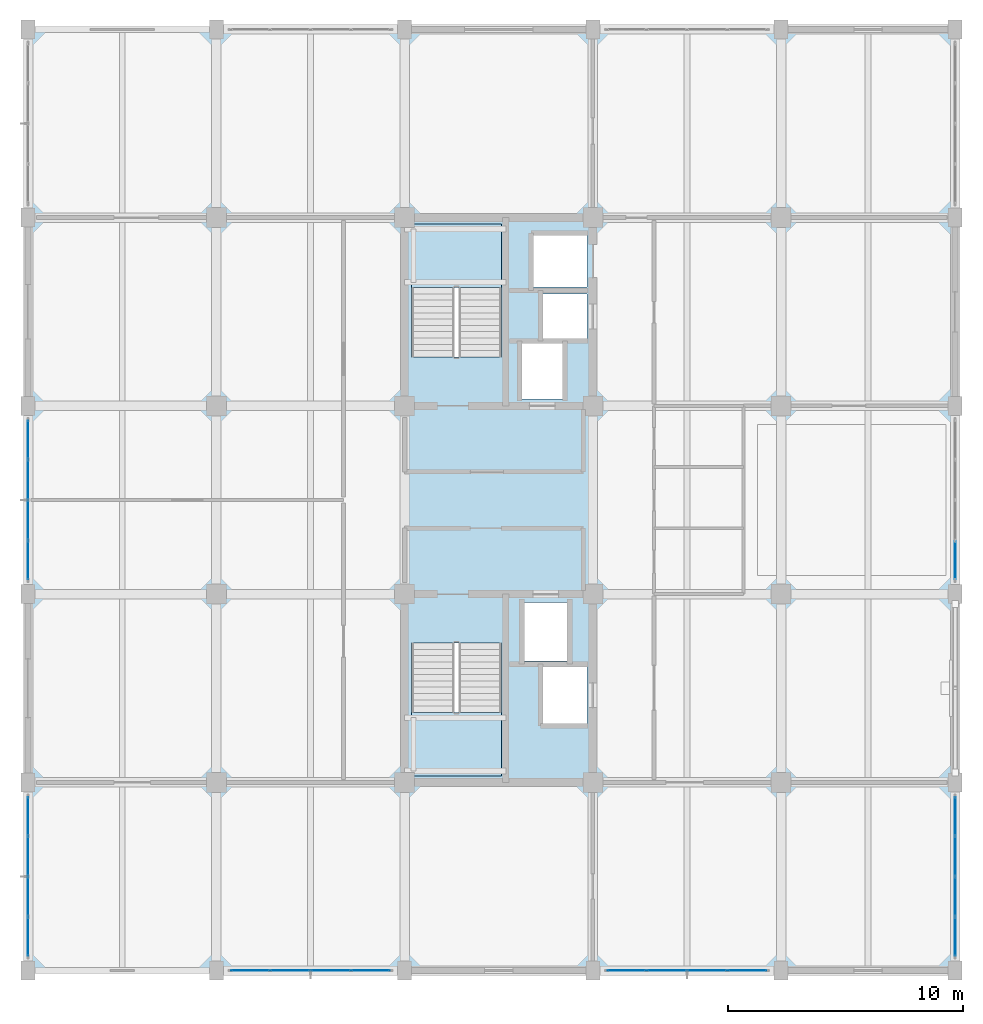
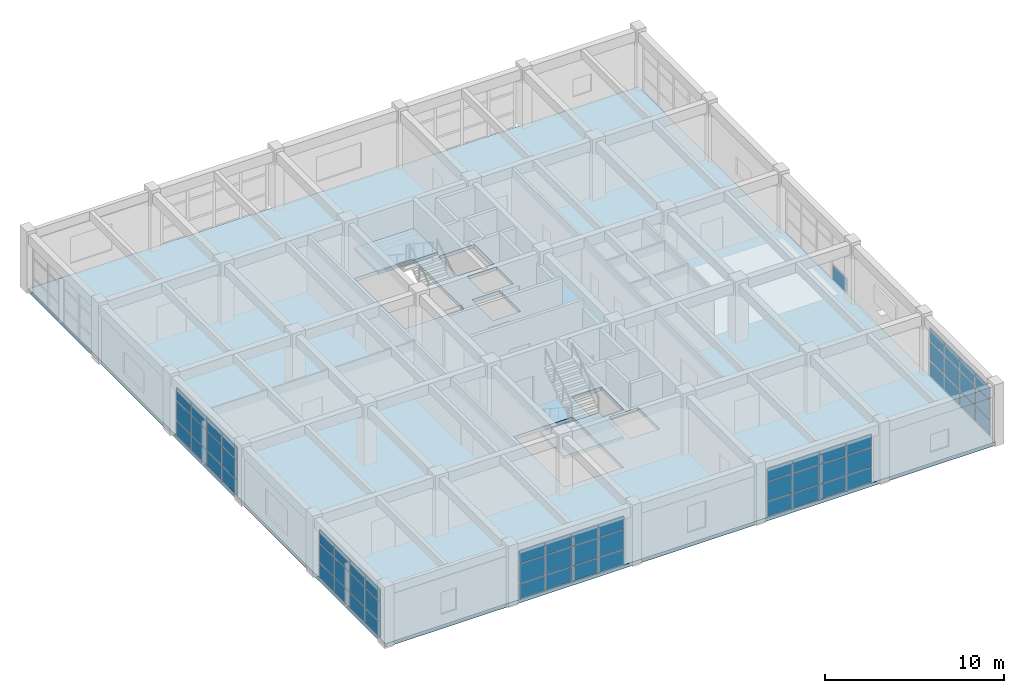
# One storey, part 19 of 27: 61 plates, 3 slabs, 8 elements without a shape of their own.
"""IFC4 building model written with IfcOpenShell, lengths in metres."""

from ifc_helpers import new_model, si_unit, direction, frame, origin, origin_2d, place, context, subcontext, project, spatial, polyline, rectangle, outline, extrude, material, layer, layer_set, type_object, element, aggregate, save


model = new_model("IFC4")

# Units and contexts
model_context = context("Model", 3, precision=1e-05, world=origin(), true_north=direction((0.0, 1.0)))
body_context = subcontext(model_context, "Body", "Model", "MODEL_VIEW")
ifc_project = project(units=[si_unit("LENGTHUNIT", "METRE"), si_unit("AREAUNIT", "SQUARE_METRE"), si_unit("VOLUMEUNIT", "CUBIC_METRE"), si_unit("PLANEANGLEUNIT", "RADIAN"), si_unit("MASSUNIT", "GRAM", prefix="KILO")], contexts=[model_context])

# Site, building, storey
site_placement = place(None, origin())
site = spatial("IfcSite", under=ifc_project, at=site_placement, CompositionType="ELEMENT")
building_placement = place(site_placement, origin())
building = spatial("IfcBuilding", under=site, at=building_placement, Name="Canggui Botanical Conservatory", CompositionType="ELEMENT")
storey_placement = place(building_placement, frame((0.0, 0.0, 31.800048828125)))
storey = spatial("IfcBuildingStorey", under=building, at=storey_placement, Name="L08", CompositionType="ELEMENT", Elevation=31.800048828125)

# Curtain wall, plates
ifc_material_1 = material(Name="Thermally Broken Aluminium", Category="aluminium")
ifc_layer_1 = layer(ifc_material_1, 0.1650390625, Name="Thermally Broken Aluminium", Category="aluminium")
ifc_layer_set_1 = layer_set([ifc_layer_1], Name="Thermally Broken Aluminium")
curtain_wall_type = type_object("IfcCurtainWallType", Name="CW-UNIT-B", PredefinedType="USERDEFINED", material=ifc_layer_set_1)
curtain_wall_1_placement = place(storey_placement, origin())
curtain_wall_1 = element("IfcCurtainWall", 1, at=curtain_wall_1_placement, inside=storey, type_object=curtain_wall_type, Name="Facade Curtain Wall CW-TWR-L08-02", ObjectType="UNITISED CURTAIN WALL", PredefinedType="USERDEFINED")
ifc_material_2 = material(Name="Low-E Insulated Glass", Category="glass")
ifc_layer_2 = layer(ifc_material_2, 0.030029296875, Name="Low-E Insulated Glass", Category="glass")
ifc_layer_set_2 = layer_set([ifc_layer_2], Name="Low-E Insulated Glass")
plate_type = type_object("IfcPlateType", Name="CWP-02", PredefinedType="CURTAIN_PANEL", material=ifc_layer_set_2)
plate_1_placement = place(storey_placement, frame((168.563720703125, 34.0, 0.059814453125), z_axis=(0.0, 0.0, 1.0), x_axis=(-1.0, 0.0, 0.0)))
plate_1 = element("IfcPlate", 2, at=plate_1_placement, type_object=plate_type, Name="CW-02 panel 1.1", PredefinedType="CURTAIN_PANEL", context=body_context, shape_type="SweptSolid", body=[
    extrude(rectangle(XDim=1.62255859375, YDim=0.030029296875, at=origin_2d()), origin(), (0.0, 0.0, 1.0), 0.998046875),
])
plate_2_placement = place(storey_placement, frame((168.563720703125, 34.0, 1.1181640625), z_axis=(0.0, 0.0, 1.0), x_axis=(-1.0, 0.0, 0.0)))
plate_2 = element("IfcPlate", 3, at=plate_2_placement, type_object=plate_type, Name="CW-02 panel 1.2", PredefinedType="CURTAIN_PANEL", context=body_context, shape_type="SweptSolid", body=[
    extrude(rectangle(XDim=1.62255859375, YDim=0.030029296875, at=origin_2d()), origin(), (0.0, 0.0, 1.0), 1.300048828125),
])
plate_3_placement = place(storey_placement, frame((168.563720703125, 34.0, 2.47802734375), z_axis=(0.0, 0.0, 1.0), x_axis=(-1.0, 0.0, 0.0)))
plate_3 = element("IfcPlate", 4, at=plate_3_placement, type_object=plate_type, Name="CW-02 panel 1.3", PredefinedType="CURTAIN_PANEL", context=body_context, shape_type="SweptSolid", body=[
    extrude(rectangle(XDim=1.62255859375, YDim=0.030029296875, at=origin_2d()), origin(), (0.0, 0.0, 1.0), 0.862060546875),
])
plate_4_placement = place(storey_placement, frame((166.860107421875, 34.0, 0.059814453125), z_axis=(0.0, 0.0, 1.0), x_axis=(-1.0, 0.0, 0.0)))
plate_4 = element("IfcPlate", 5, at=plate_4_placement, type_object=plate_type, Name="CW-02 panel 2.1", PredefinedType="CURTAIN_PANEL", context=body_context, shape_type="SweptSolid", body=[
    extrude(rectangle(XDim=1.655029296875, YDim=0.030029296875, at=origin_2d()), origin(), (0.0, 0.0, 1.0), 0.998046875),
])
plate_5_placement = place(storey_placement, frame((166.860107421875, 34.0, 1.1181640625), z_axis=(0.0, 0.0, 1.0), x_axis=(-1.0, 0.0, 0.0)))
plate_5 = element("IfcPlate", 6, at=plate_5_placement, type_object=plate_type, Name="CW-02 panel 2.2", PredefinedType="CURTAIN_PANEL", context=body_context, shape_type="SweptSolid", body=[
    extrude(rectangle(XDim=1.655029296875, YDim=0.030029296875, at=origin_2d()), origin(), (0.0, 0.0, 1.0), 1.300048828125),
])
plate_6_placement = place(storey_placement, frame((166.860107421875, 34.0, 2.47802734375), z_axis=(0.0, 0.0, 1.0), x_axis=(-1.0, 0.0, 0.0)))
plate_6 = element("IfcPlate", 7, at=plate_6_placement, type_object=plate_type, Name="CW-02 panel 2.3", PredefinedType="CURTAIN_PANEL", context=body_context, shape_type="SweptSolid", body=[
    extrude(rectangle(XDim=1.655029296875, YDim=0.030029296875, at=origin_2d()), origin(), (0.0, 0.0, 1.0), 0.862060546875),
])
plate_7_placement = place(storey_placement, frame((165.139892578125, 34.0, 0.059814453125), z_axis=(0.0, 0.0, 1.0), x_axis=(-1.0, 0.0, 0.0)))
plate_7 = element("IfcPlate", 8, at=plate_7_placement, type_object=plate_type, Name="CW-02 panel 3.1", PredefinedType="CURTAIN_PANEL", context=body_context, shape_type="SweptSolid", body=[
    extrude(rectangle(XDim=1.655029296875, YDim=0.030029296875, at=origin_2d()), origin(), (0.0, 0.0, 1.0), 0.998046875),
])
plate_8_placement = place(storey_placement, frame((165.139892578125, 34.0, 1.1181640625), z_axis=(0.0, 0.0, 1.0), x_axis=(-1.0, 0.0, 0.0)))
plate_8 = element("IfcPlate", 9, at=plate_8_placement, type_object=plate_type, Name="CW-02 panel 3.2", PredefinedType="CURTAIN_PANEL", context=body_context, shape_type="SweptSolid", body=[
    extrude(rectangle(XDim=1.655029296875, YDim=0.030029296875, at=origin_2d()), origin(), (0.0, 0.0, 1.0), 1.300048828125),
])
plate_9_placement = place(storey_placement, frame((165.139892578125, 34.0, 2.47802734375), z_axis=(0.0, 0.0, 1.0), x_axis=(-1.0, 0.0, 0.0)))
plate_9 = element("IfcPlate", 10, at=plate_9_placement, type_object=plate_type, Name="CW-02 panel 3.3", PredefinedType="CURTAIN_PANEL", context=body_context, shape_type="SweptSolid", body=[
    extrude(rectangle(XDim=1.655029296875, YDim=0.030029296875, at=origin_2d()), origin(), (0.0, 0.0, 1.0), 0.862060546875),
])
plate_10_placement = place(storey_placement, frame((163.436279296875, 34.0, 0.059814453125), z_axis=(0.0, 0.0, 1.0), x_axis=(-1.0, 0.0, 0.0)))
plate_10 = element("IfcPlate", 11, at=plate_10_placement, type_object=plate_type, Name="CW-02 panel 4.1", PredefinedType="CURTAIN_PANEL", context=body_context, shape_type="SweptSolid", body=[
    extrude(rectangle(XDim=1.62255859375, YDim=0.030029296875, at=origin_2d()), origin(), (0.0, 0.0, 1.0), 0.998046875),
])
plate_11_placement = place(storey_placement, frame((163.436279296875, 34.0, 1.1181640625), z_axis=(0.0, 0.0, 1.0), x_axis=(-1.0, 0.0, 0.0)))
plate_11 = element("IfcPlate", 12, at=plate_11_placement, type_object=plate_type, Name="CW-02 panel 4.2", PredefinedType="CURTAIN_PANEL", context=body_context, shape_type="SweptSolid", body=[
    extrude(rectangle(XDim=1.62255859375, YDim=0.030029296875, at=origin_2d()), origin(), (0.0, 0.0, 1.0), 1.300048828125),
])
plate_12_placement = place(storey_placement, frame((163.436279296875, 34.0, 2.47802734375), z_axis=(0.0, 0.0, 1.0), x_axis=(-1.0, 0.0, 0.0)))
plate_12 = element("IfcPlate", 13, at=plate_12_placement, type_object=plate_type, Name="CW-02 panel 4.3", PredefinedType="CURTAIN_PANEL", context=body_context, shape_type="SweptSolid", body=[
    extrude(rectangle(XDim=1.62255859375, YDim=0.030029296875, at=origin_2d()), origin(), (0.0, 0.0, 1.0), 0.862060546875),
])
aggregate(curtain_wall_1, [plate_1, plate_2, plate_3, plate_4, plate_5, plate_6, plate_7, plate_8, plate_9, plate_10, plate_11, plate_12])

curtain_wall_2_placement = place(storey_placement, origin())
curtain_wall_2 = element("IfcCurtainWall", 14, at=curtain_wall_2_placement, inside=storey, type_object=curtain_wall_type, Name="Facade Curtain Wall CW-TWR-L08-04", ObjectType="UNITISED CURTAIN WALL", PredefinedType="USERDEFINED")
plate_13_placement = place(storey_placement, frame((152.563720703125, 34.0, 0.059814453125), z_axis=(0.0, 0.0, 1.0), x_axis=(-1.0, 0.0, 0.0)))
plate_13 = element("IfcPlate", 15, at=plate_13_placement, type_object=plate_type, Name="CW-02 panel 1.1", PredefinedType="CURTAIN_PANEL", context=body_context, shape_type="SweptSolid", body=[
    extrude(rectangle(XDim=1.62255859375, YDim=0.030029296875, at=origin_2d()), origin(), (0.0, 0.0, 1.0), 0.998046875),
])
plate_14_placement = place(storey_placement, frame((152.563720703125, 34.0, 1.1181640625), z_axis=(0.0, 0.0, 1.0), x_axis=(-1.0, 0.0, 0.0)))
plate_14 = element("IfcPlate", 16, at=plate_14_placement, type_object=plate_type, Name="CW-02 panel 1.2", PredefinedType="CURTAIN_PANEL", context=body_context, shape_type="SweptSolid", body=[
    extrude(rectangle(XDim=1.62255859375, YDim=0.030029296875, at=origin_2d()), origin(), (0.0, 0.0, 1.0), 1.300048828125),
])
plate_15_placement = place(storey_placement, frame((152.563720703125, 34.0, 2.47802734375), z_axis=(0.0, 0.0, 1.0), x_axis=(-1.0, 0.0, 0.0)))
plate_15 = element("IfcPlate", 17, at=plate_15_placement, type_object=plate_type, Name="CW-02 panel 1.3", PredefinedType="CURTAIN_PANEL", context=body_context, shape_type="SweptSolid", body=[
    extrude(rectangle(XDim=1.62255859375, YDim=0.030029296875, at=origin_2d()), origin(), (0.0, 0.0, 1.0), 0.862060546875),
])
plate_16_placement = place(storey_placement, frame((150.860107421875, 34.0, 0.059814453125), z_axis=(0.0, 0.0, 1.0), x_axis=(-1.0, 0.0, 0.0)))
plate_16 = element("IfcPlate", 18, at=plate_16_placement, type_object=plate_type, Name="CW-02 panel 2.1", PredefinedType="CURTAIN_PANEL", context=body_context, shape_type="SweptSolid", body=[
    extrude(rectangle(XDim=1.655029296875, YDim=0.030029296875, at=origin_2d()), origin(), (0.0, 0.0, 1.0), 0.998046875),
])
plate_17_placement = place(storey_placement, frame((150.860107421875, 34.0, 1.1181640625), z_axis=(0.0, 0.0, 1.0), x_axis=(-1.0, 0.0, 0.0)))
plate_17 = element("IfcPlate", 19, at=plate_17_placement, type_object=plate_type, Name="CW-02 panel 2.2", PredefinedType="CURTAIN_PANEL", context=body_context, shape_type="SweptSolid", body=[
    extrude(rectangle(XDim=1.655029296875, YDim=0.030029296875, at=origin_2d()), origin(), (0.0, 0.0, 1.0), 1.300048828125),
])
plate_18_placement = place(storey_placement, frame((150.860107421875, 34.0, 2.47802734375), z_axis=(0.0, 0.0, 1.0), x_axis=(-1.0, 0.0, 0.0)))
plate_18 = element("IfcPlate", 20, at=plate_18_placement, type_object=plate_type, Name="CW-02 panel 2.3", PredefinedType="CURTAIN_PANEL", context=body_context, shape_type="SweptSolid", body=[
    extrude(rectangle(XDim=1.655029296875, YDim=0.030029296875, at=origin_2d()), origin(), (0.0, 0.0, 1.0), 0.862060546875),
])
plate_19_placement = place(storey_placement, frame((149.139892578125, 34.0, 0.059814453125), z_axis=(0.0, 0.0, 1.0), x_axis=(-1.0, 0.0, 0.0)))
plate_19 = element("IfcPlate", 21, at=plate_19_placement, type_object=plate_type, Name="CW-02 panel 3.1", PredefinedType="CURTAIN_PANEL", context=body_context, shape_type="SweptSolid", body=[
    extrude(rectangle(XDim=1.655029296875, YDim=0.030029296875, at=origin_2d()), origin(), (0.0, 0.0, 1.0), 0.998046875),
])
plate_20_placement = place(storey_placement, frame((149.139892578125, 34.0, 1.1181640625), z_axis=(0.0, 0.0, 1.0), x_axis=(-1.0, 0.0, 0.0)))
plate_20 = element("IfcPlate", 22, at=plate_20_placement, type_object=plate_type, Name="CW-02 panel 3.2", PredefinedType="CURTAIN_PANEL", context=body_context, shape_type="SweptSolid", body=[
    extrude(rectangle(XDim=1.655029296875, YDim=0.030029296875, at=origin_2d()), origin(), (0.0, 0.0, 1.0), 1.300048828125),
])
plate_21_placement = place(storey_placement, frame((149.139892578125, 34.0, 2.47802734375), z_axis=(0.0, 0.0, 1.0), x_axis=(-1.0, 0.0, 0.0)))
plate_21 = element("IfcPlate", 23, at=plate_21_placement, type_object=plate_type, Name="CW-02 panel 3.3", PredefinedType="CURTAIN_PANEL", context=body_context, shape_type="SweptSolid", body=[
    extrude(rectangle(XDim=1.655029296875, YDim=0.030029296875, at=origin_2d()), origin(), (0.0, 0.0, 1.0), 0.862060546875),
])
plate_22_placement = place(storey_placement, frame((147.436279296875, 34.0, 0.059814453125), z_axis=(0.0, 0.0, 1.0), x_axis=(-1.0, 0.0, 0.0)))
plate_22 = element("IfcPlate", 24, at=plate_22_placement, type_object=plate_type, Name="CW-02 panel 4.1", PredefinedType="CURTAIN_PANEL", context=body_context, shape_type="SweptSolid", body=[
    extrude(rectangle(XDim=1.62255859375, YDim=0.030029296875, at=origin_2d()), origin(), (0.0, 0.0, 1.0), 0.998046875),
])
plate_23_placement = place(storey_placement, frame((147.436279296875, 34.0, 1.1181640625), z_axis=(0.0, 0.0, 1.0), x_axis=(-1.0, 0.0, 0.0)))
plate_23 = element("IfcPlate", 25, at=plate_23_placement, type_object=plate_type, Name="CW-02 panel 4.2", PredefinedType="CURTAIN_PANEL", context=body_context, shape_type="SweptSolid", body=[
    extrude(rectangle(XDim=1.62255859375, YDim=0.030029296875, at=origin_2d()), origin(), (0.0, 0.0, 1.0), 1.300048828125),
])
plate_24_placement = place(storey_placement, frame((147.436279296875, 34.0, 2.47802734375), z_axis=(0.0, 0.0, 1.0), x_axis=(-1.0, 0.0, 0.0)))
plate_24 = element("IfcPlate", 26, at=plate_24_placement, type_object=plate_type, Name="CW-02 panel 4.3", PredefinedType="CURTAIN_PANEL", context=body_context, shape_type="SweptSolid", body=[
    extrude(rectangle(XDim=1.62255859375, YDim=0.030029296875, at=origin_2d()), origin(), (0.0, 0.0, 1.0), 0.862060546875),
])
aggregate(curtain_wall_2, [plate_13, plate_14, plate_15, plate_16, plate_17, plate_18, plate_19, plate_20, plate_21, plate_22, plate_23, plate_24])

curtain_wall_3_placement = place(storey_placement, origin())
curtain_wall_3 = element("IfcCurtainWall", 27, at=curtain_wall_3_placement, inside=storey, type_object=curtain_wall_type, Name="Facade Curtain Wall CW-TWR-L08-06", ObjectType="UNITISED CURTAIN WALL", PredefinedType="USERDEFINED")
plate_25_placement = place(storey_placement, frame((138.0, 35.436279296875, 0.059814453125), z_axis=(0.0, 0.0, 1.0), x_axis=(0.0, 1.0, 0.0)))
plate_25 = element("IfcPlate", 28, at=plate_25_placement, type_object=plate_type, Name="CW-02 panel 1.1", PredefinedType="CURTAIN_PANEL", context=body_context, shape_type="SweptSolid", body=[
    extrude(rectangle(XDim=1.62255859375, YDim=0.030029296875, at=origin_2d()), origin(), (0.0, 0.0, 1.0), 0.998046875),
])
plate_26_placement = place(storey_placement, frame((138.0, 35.436279296875, 1.1181640625), z_axis=(0.0, 0.0, 1.0), x_axis=(0.0, 1.0, 0.0)))
plate_26 = element("IfcPlate", 29, at=plate_26_placement, type_object=plate_type, Name="CW-02 panel 1.2", PredefinedType="CURTAIN_PANEL", context=body_context, shape_type="SweptSolid", body=[
    extrude(rectangle(XDim=1.62255859375, YDim=0.030029296875, at=origin_2d()), origin(), (0.0, 0.0, 1.0), 1.300048828125),
])
plate_27_placement = place(storey_placement, frame((138.0, 35.436279296875, 2.47802734375), z_axis=(0.0, 0.0, 1.0), x_axis=(0.0, 1.0, 0.0)))
plate_27 = element("IfcPlate", 30, at=plate_27_placement, type_object=plate_type, Name="CW-02 panel 1.3", PredefinedType="CURTAIN_PANEL", context=body_context, shape_type="SweptSolid", body=[
    extrude(rectangle(XDim=1.62255859375, YDim=0.030029296875, at=origin_2d()), origin(), (0.0, 0.0, 1.0), 0.862060546875),
])
plate_28_placement = place(storey_placement, frame((138.0, 37.139892578125, 0.059814453125), z_axis=(0.0, 0.0, 1.0), x_axis=(0.0, 1.0, 0.0)))
plate_28 = element("IfcPlate", 31, at=plate_28_placement, type_object=plate_type, Name="CW-02 panel 2.1", PredefinedType="CURTAIN_PANEL", context=body_context, shape_type="SweptSolid", body=[
    extrude(rectangle(XDim=1.655029296875, YDim=0.030029296875, at=origin_2d()), origin(), (0.0, 0.0, 1.0), 0.998046875),
])
plate_29_placement = place(storey_placement, frame((138.0, 37.139892578125, 1.1181640625), z_axis=(0.0, 0.0, 1.0), x_axis=(0.0, 1.0, 0.0)))
plate_29 = element("IfcPlate", 32, at=plate_29_placement, type_object=plate_type, Name="CW-02 panel 2.2", PredefinedType="CURTAIN_PANEL", context=body_context, shape_type="SweptSolid", body=[
    extrude(rectangle(XDim=1.655029296875, YDim=0.030029296875, at=origin_2d()), origin(), (0.0, 0.0, 1.0), 1.300048828125),
])
plate_30_placement = place(storey_placement, frame((138.0, 37.139892578125, 2.47802734375), z_axis=(0.0, 0.0, 1.0), x_axis=(0.0, 1.0, 0.0)))
plate_30 = element("IfcPlate", 33, at=plate_30_placement, type_object=plate_type, Name="CW-02 panel 2.3", PredefinedType="CURTAIN_PANEL", context=body_context, shape_type="SweptSolid", body=[
    extrude(rectangle(XDim=1.655029296875, YDim=0.030029296875, at=origin_2d()), origin(), (0.0, 0.0, 1.0), 0.862060546875),
])
plate_31_placement = place(storey_placement, frame((138.0, 38.860107421875, 0.059814453125), z_axis=(0.0, 0.0, 1.0), x_axis=(0.0, 1.0, 0.0)))
plate_31 = element("IfcPlate", 34, at=plate_31_placement, type_object=plate_type, Name="CW-02 panel 3.1", PredefinedType="CURTAIN_PANEL", context=body_context, shape_type="SweptSolid", body=[
    extrude(rectangle(XDim=1.655029296875, YDim=0.030029296875, at=origin_2d()), origin(), (0.0, 0.0, 1.0), 0.998046875),
])
plate_32_placement = place(storey_placement, frame((138.0, 38.860107421875, 1.1181640625), z_axis=(0.0, 0.0, 1.0), x_axis=(0.0, 1.0, 0.0)))
plate_32 = element("IfcPlate", 35, at=plate_32_placement, type_object=plate_type, Name="CW-02 panel 3.2", PredefinedType="CURTAIN_PANEL", context=body_context, shape_type="SweptSolid", body=[
    extrude(rectangle(XDim=1.655029296875, YDim=0.030029296875, at=origin_2d()), origin(), (0.0, 0.0, 1.0), 1.300048828125),
])
plate_33_placement = place(storey_placement, frame((138.0, 38.860107421875, 2.47802734375), z_axis=(0.0, 0.0, 1.0), x_axis=(0.0, 1.0, 0.0)))
plate_33 = element("IfcPlate", 36, at=plate_33_placement, type_object=plate_type, Name="CW-02 panel 3.3", PredefinedType="CURTAIN_PANEL", context=body_context, shape_type="SweptSolid", body=[
    extrude(rectangle(XDim=1.655029296875, YDim=0.030029296875, at=origin_2d()), origin(), (0.0, 0.0, 1.0), 0.862060546875),
])
plate_34_placement = place(storey_placement, frame((138.0, 40.563720703125, 0.059814453125), z_axis=(0.0, 0.0, 1.0), x_axis=(0.0, 1.0, 0.0)))
plate_34 = element("IfcPlate", 37, at=plate_34_placement, type_object=plate_type, Name="CW-02 panel 4.1", PredefinedType="CURTAIN_PANEL", context=body_context, shape_type="SweptSolid", body=[
    extrude(rectangle(XDim=1.62255859375, YDim=0.030029296875, at=origin_2d()), origin(), (0.0, 0.0, 1.0), 0.998046875),
])
plate_35_placement = place(storey_placement, frame((138.0, 40.563720703125, 1.1181640625), z_axis=(0.0, 0.0, 1.0), x_axis=(0.0, 1.0, 0.0)))
plate_35 = element("IfcPlate", 38, at=plate_35_placement, type_object=plate_type, Name="CW-02 panel 4.2", PredefinedType="CURTAIN_PANEL", context=body_context, shape_type="SweptSolid", body=[
    extrude(rectangle(XDim=1.62255859375, YDim=0.030029296875, at=origin_2d()), origin(), (0.0, 0.0, 1.0), 1.300048828125),
])
plate_36_placement = place(storey_placement, frame((138.0, 40.563720703125, 2.47802734375), z_axis=(0.0, 0.0, 1.0), x_axis=(0.0, 1.0, 0.0)))
plate_36 = element("IfcPlate", 39, at=plate_36_placement, type_object=plate_type, Name="CW-02 panel 4.3", PredefinedType="CURTAIN_PANEL", context=body_context, shape_type="SweptSolid", body=[
    extrude(rectangle(XDim=1.62255859375, YDim=0.030029296875, at=origin_2d()), origin(), (0.0, 0.0, 1.0), 0.862060546875),
])
aggregate(curtain_wall_3, [plate_25, plate_26, plate_27, plate_28, plate_29, plate_30, plate_31, plate_32, plate_33, plate_34, plate_35, plate_36])

curtain_wall_4_placement = place(storey_placement, origin())
curtain_wall_4 = element("IfcCurtainWall", 40, at=curtain_wall_4_placement, inside=storey, type_object=curtain_wall_type, Name="Facade Curtain Wall CW-TWR-L08-08", ObjectType="UNITISED CURTAIN WALL", PredefinedType="USERDEFINED")
plate_37_placement = place(storey_placement, frame((138.0, 51.436279296875, 0.059814453125), z_axis=(0.0, 0.0, 1.0), x_axis=(0.0, 1.0, 0.0)))
plate_37 = element("IfcPlate", 41, at=plate_37_placement, type_object=plate_type, Name="CW-02 panel 1.1", PredefinedType="CURTAIN_PANEL", context=body_context, shape_type="SweptSolid", body=[
    extrude(rectangle(XDim=1.62255859375, YDim=0.030029296875, at=origin_2d()), origin(), (0.0, 0.0, 1.0), 0.998046875),
])
plate_38_placement = place(storey_placement, frame((138.0, 51.436279296875, 1.1181640625), z_axis=(0.0, 0.0, 1.0), x_axis=(0.0, 1.0, 0.0)))
plate_38 = element("IfcPlate", 42, at=plate_38_placement, type_object=plate_type, Name="CW-02 panel 1.2", PredefinedType="CURTAIN_PANEL", context=body_context, shape_type="SweptSolid", body=[
    extrude(rectangle(XDim=1.62255859375, YDim=0.030029296875, at=origin_2d()), origin(), (0.0, 0.0, 1.0), 1.300048828125),
])
plate_39_placement = place(storey_placement, frame((138.0, 51.436279296875, 2.47802734375), z_axis=(0.0, 0.0, 1.0), x_axis=(0.0, 1.0, 0.0)))
plate_39 = element("IfcPlate", 43, at=plate_39_placement, type_object=plate_type, Name="CW-02 panel 1.3", PredefinedType="CURTAIN_PANEL", context=body_context, shape_type="SweptSolid", body=[
    extrude(rectangle(XDim=1.62255859375, YDim=0.030029296875, at=origin_2d()), origin(), (0.0, 0.0, 1.0), 0.862060546875),
])
plate_40_placement = place(storey_placement, frame((138.0, 53.139892578125, 0.059814453125), z_axis=(0.0, 0.0, 1.0), x_axis=(0.0, 1.0, 0.0)))
plate_40 = element("IfcPlate", 44, at=plate_40_placement, type_object=plate_type, Name="CW-02 panel 2.1", PredefinedType="CURTAIN_PANEL", context=body_context, shape_type="SweptSolid", body=[
    extrude(rectangle(XDim=1.655029296875, YDim=0.030029296875, at=origin_2d()), origin(), (0.0, 0.0, 1.0), 0.998046875),
])
plate_41_placement = place(storey_placement, frame((138.0, 53.139892578125, 1.1181640625), z_axis=(0.0, 0.0, 1.0), x_axis=(0.0, 1.0, 0.0)))
plate_41 = element("IfcPlate", 45, at=plate_41_placement, type_object=plate_type, Name="CW-02 panel 2.2", PredefinedType="CURTAIN_PANEL", context=body_context, shape_type="SweptSolid", body=[
    extrude(rectangle(XDim=1.655029296875, YDim=0.030029296875, at=origin_2d()), origin(), (0.0, 0.0, 1.0), 1.300048828125),
])
plate_42_placement = place(storey_placement, frame((138.0, 53.139892578125, 2.47802734375), z_axis=(0.0, 0.0, 1.0), x_axis=(0.0, 1.0, 0.0)))
plate_42 = element("IfcPlate", 46, at=plate_42_placement, type_object=plate_type, Name="CW-02 panel 2.3", PredefinedType="CURTAIN_PANEL", context=body_context, shape_type="SweptSolid", body=[
    extrude(rectangle(XDim=1.655029296875, YDim=0.030029296875, at=origin_2d()), origin(), (0.0, 0.0, 1.0), 0.862060546875),
])
plate_43_placement = place(storey_placement, frame((138.0, 54.860107421875, 0.059814453125), z_axis=(0.0, 0.0, 1.0), x_axis=(0.0, 1.0, 0.0)))
plate_43 = element("IfcPlate", 47, at=plate_43_placement, type_object=plate_type, Name="CW-02 panel 3.1", PredefinedType="CURTAIN_PANEL", context=body_context, shape_type="SweptSolid", body=[
    extrude(rectangle(XDim=1.655029296875, YDim=0.030029296875, at=origin_2d()), origin(), (0.0, 0.0, 1.0), 0.998046875),
])
plate_44_placement = place(storey_placement, frame((138.0, 54.860107421875, 1.1181640625), z_axis=(0.0, 0.0, 1.0), x_axis=(0.0, 1.0, 0.0)))
plate_44 = element("IfcPlate", 48, at=plate_44_placement, type_object=plate_type, Name="CW-02 panel 3.2", PredefinedType="CURTAIN_PANEL", context=body_context, shape_type="SweptSolid", body=[
    extrude(rectangle(XDim=1.655029296875, YDim=0.030029296875, at=origin_2d()), origin(), (0.0, 0.0, 1.0), 1.300048828125),
])
plate_45_placement = place(storey_placement, frame((138.0, 54.860107421875, 2.47802734375), z_axis=(0.0, 0.0, 1.0), x_axis=(0.0, 1.0, 0.0)))
plate_45 = element("IfcPlate", 49, at=plate_45_placement, type_object=plate_type, Name="CW-02 panel 3.3", PredefinedType="CURTAIN_PANEL", context=body_context, shape_type="SweptSolid", body=[
    extrude(rectangle(XDim=1.655029296875, YDim=0.030029296875, at=origin_2d()), origin(), (0.0, 0.0, 1.0), 0.862060546875),
])
plate_46_placement = place(storey_placement, frame((138.0, 56.563720703125, 0.059814453125), z_axis=(0.0, 0.0, 1.0), x_axis=(0.0, 1.0, 0.0)))
plate_46 = element("IfcPlate", 50, at=plate_46_placement, type_object=plate_type, Name="CW-02 panel 4.1", PredefinedType="CURTAIN_PANEL", context=body_context, shape_type="SweptSolid", body=[
    extrude(rectangle(XDim=1.62255859375, YDim=0.030029296875, at=origin_2d()), origin(), (0.0, 0.0, 1.0), 0.998046875),
])
plate_47_placement = place(storey_placement, frame((138.0, 56.563720703125, 1.1181640625), z_axis=(0.0, 0.0, 1.0), x_axis=(0.0, 1.0, 0.0)))
plate_47 = element("IfcPlate", 51, at=plate_47_placement, type_object=plate_type, Name="CW-02 panel 4.2", PredefinedType="CURTAIN_PANEL", context=body_context, shape_type="SweptSolid", body=[
    extrude(rectangle(XDim=1.62255859375, YDim=0.030029296875, at=origin_2d()), origin(), (0.0, 0.0, 1.0), 1.300048828125),
])
plate_48_placement = place(storey_placement, frame((138.0, 56.563720703125, 2.47802734375), z_axis=(0.0, 0.0, 1.0), x_axis=(0.0, 1.0, 0.0)))
plate_48 = element("IfcPlate", 52, at=plate_48_placement, type_object=plate_type, Name="CW-02 panel 4.3", PredefinedType="CURTAIN_PANEL", context=body_context, shape_type="SweptSolid", body=[
    extrude(rectangle(XDim=1.62255859375, YDim=0.030029296875, at=origin_2d()), origin(), (0.0, 0.0, 1.0), 0.862060546875),
])
aggregate(curtain_wall_4, [plate_37, plate_38, plate_39, plate_40, plate_41, plate_42, plate_43, plate_44, plate_45, plate_46, plate_47, plate_48])

# Curtain wall, plate
curtain_wall_5_placement = place(storey_placement, origin())
curtain_wall_5 = element("IfcCurtainWall", 53, at=curtain_wall_5_placement, inside=storey, type_object=curtain_wall_type, Name="Facade Curtain Wall CW-TWR-L08-18", ObjectType="UNITISED CURTAIN WALL", PredefinedType="USERDEFINED")
plate_49_placement = place(storey_placement, frame((177.39990234375, 51.436279296875, 0.059814453125), z_axis=(0.0, 0.0, 1.0), x_axis=(0.0, -1.0, 0.0)))
plate_49 = element("IfcPlate", 54, at=plate_49_placement, type_object=plate_type, Name="CW-02 panel 4.1", PredefinedType="CURTAIN_PANEL", context=body_context, shape_type="SweptSolid", body=[
    extrude(rectangle(XDim=1.62255859375, YDim=0.030029296875, at=origin_2d()), origin(), (0.0, 0.0, 1.0), 0.998046875),
])
aggregate(curtain_wall_5, [plate_49])

# Curtain wall, plates
curtain_wall_6_placement = place(storey_placement, origin())
curtain_wall_6 = element("IfcCurtainWall", 55, at=curtain_wall_6_placement, inside=storey, type_object=curtain_wall_type, Name="Facade Curtain Wall CW-TWR-L08-20", ObjectType="UNITISED CURTAIN WALL", PredefinedType="USERDEFINED")
plate_50_placement = place(storey_placement, frame((177.39990234375, 40.563720703125, 0.059814453125), z_axis=(0.0, 0.0, 1.0), x_axis=(0.0, -1.0, 0.0)))
plate_50 = element("IfcPlate", 56, at=plate_50_placement, type_object=plate_type, Name="CW-02 panel 1.1", PredefinedType="CURTAIN_PANEL", context=body_context, shape_type="SweptSolid", body=[
    extrude(rectangle(XDim=1.62255859375, YDim=0.030029296875, at=origin_2d()), origin(), (0.0, 0.0, 1.0), 0.998046875),
])
plate_51_placement = place(storey_placement, frame((177.39990234375, 40.563720703125, 1.1181640625), z_axis=(0.0, 0.0, 1.0), x_axis=(0.0, -1.0, 0.0)))
plate_51 = element("IfcPlate", 57, at=plate_51_placement, type_object=plate_type, Name="CW-02 panel 1.2", PredefinedType="CURTAIN_PANEL", context=body_context, shape_type="SweptSolid", body=[
    extrude(rectangle(XDim=1.62255859375, YDim=0.030029296875, at=origin_2d()), origin(), (0.0, 0.0, 1.0), 1.300048828125),
])
plate_52_placement = place(storey_placement, frame((177.39990234375, 40.563720703125, 2.47802734375), z_axis=(0.0, 0.0, 1.0), x_axis=(0.0, -1.0, 0.0)))
plate_52 = element("IfcPlate", 58, at=plate_52_placement, type_object=plate_type, Name="CW-02 panel 1.3", PredefinedType="CURTAIN_PANEL", context=body_context, shape_type="SweptSolid", body=[
    extrude(rectangle(XDim=1.62255859375, YDim=0.030029296875, at=origin_2d()), origin(), (0.0, 0.0, 1.0), 0.862060546875),
])
plate_53_placement = place(storey_placement, frame((177.39990234375, 38.860107421875, 0.059814453125), z_axis=(0.0, 0.0, 1.0), x_axis=(0.0, -1.0, 0.0)))
plate_53 = element("IfcPlate", 59, at=plate_53_placement, type_object=plate_type, Name="CW-02 panel 2.1", PredefinedType="CURTAIN_PANEL", context=body_context, shape_type="SweptSolid", body=[
    extrude(rectangle(XDim=1.655029296875, YDim=0.030029296875, at=origin_2d()), origin(), (0.0, 0.0, 1.0), 0.998046875),
])
plate_54_placement = place(storey_placement, frame((177.39990234375, 38.860107421875, 1.1181640625), z_axis=(0.0, 0.0, 1.0), x_axis=(0.0, -1.0, 0.0)))
plate_54 = element("IfcPlate", 60, at=plate_54_placement, type_object=plate_type, Name="CW-02 panel 2.2", PredefinedType="CURTAIN_PANEL", context=body_context, shape_type="SweptSolid", body=[
    extrude(rectangle(XDim=1.655029296875, YDim=0.030029296875, at=origin_2d()), origin(), (0.0, 0.0, 1.0), 1.300048828125),
])
plate_55_placement = place(storey_placement, frame((177.39990234375, 38.860107421875, 2.47802734375), z_axis=(0.0, 0.0, 1.0), x_axis=(0.0, -1.0, 0.0)))
plate_55 = element("IfcPlate", 61, at=plate_55_placement, type_object=plate_type, Name="CW-02 panel 2.3", PredefinedType="CURTAIN_PANEL", context=body_context, shape_type="SweptSolid", body=[
    extrude(rectangle(XDim=1.655029296875, YDim=0.030029296875, at=origin_2d()), origin(), (0.0, 0.0, 1.0), 0.862060546875),
])
plate_56_placement = place(storey_placement, frame((177.39990234375, 37.139892578125, 0.059814453125), z_axis=(0.0, 0.0, 1.0), x_axis=(0.0, -1.0, 0.0)))
plate_56 = element("IfcPlate", 62, at=plate_56_placement, type_object=plate_type, Name="CW-02 panel 3.1", PredefinedType="CURTAIN_PANEL", context=body_context, shape_type="SweptSolid", body=[
    extrude(rectangle(XDim=1.655029296875, YDim=0.030029296875, at=origin_2d()), origin(), (0.0, 0.0, 1.0), 0.998046875),
])
plate_57_placement = place(storey_placement, frame((177.39990234375, 37.139892578125, 1.1181640625), z_axis=(0.0, 0.0, 1.0), x_axis=(0.0, -1.0, 0.0)))
plate_57 = element("IfcPlate", 63, at=plate_57_placement, type_object=plate_type, Name="CW-02 panel 3.2", PredefinedType="CURTAIN_PANEL", context=body_context, shape_type="SweptSolid", body=[
    extrude(rectangle(XDim=1.655029296875, YDim=0.030029296875, at=origin_2d()), origin(), (0.0, 0.0, 1.0), 1.300048828125),
])
plate_58_placement = place(storey_placement, frame((177.39990234375, 37.139892578125, 2.47802734375), z_axis=(0.0, 0.0, 1.0), x_axis=(0.0, -1.0, 0.0)))
plate_58 = element("IfcPlate", 64, at=plate_58_placement, type_object=plate_type, Name="CW-02 panel 3.3", PredefinedType="CURTAIN_PANEL", context=body_context, shape_type="SweptSolid", body=[
    extrude(rectangle(XDim=1.655029296875, YDim=0.030029296875, at=origin_2d()), origin(), (0.0, 0.0, 1.0), 0.862060546875),
])
plate_59_placement = place(storey_placement, frame((177.39990234375, 35.436279296875, 0.059814453125), z_axis=(0.0, 0.0, 1.0), x_axis=(0.0, -1.0, 0.0)))
plate_59 = element("IfcPlate", 65, at=plate_59_placement, type_object=plate_type, Name="CW-02 panel 4.1", PredefinedType="CURTAIN_PANEL", context=body_context, shape_type="SweptSolid", body=[
    extrude(rectangle(XDim=1.62255859375, YDim=0.030029296875, at=origin_2d()), origin(), (0.0, 0.0, 1.0), 0.998046875),
])
plate_60_placement = place(storey_placement, frame((177.39990234375, 35.436279296875, 1.1181640625), z_axis=(0.0, 0.0, 1.0), x_axis=(0.0, -1.0, 0.0)))
plate_60 = element("IfcPlate", 66, at=plate_60_placement, type_object=plate_type, Name="CW-02 panel 4.2", PredefinedType="CURTAIN_PANEL", context=body_context, shape_type="SweptSolid", body=[
    extrude(rectangle(XDim=1.62255859375, YDim=0.030029296875, at=origin_2d()), origin(), (0.0, 0.0, 1.0), 1.300048828125),
])
plate_61_placement = place(storey_placement, frame((177.39990234375, 35.436279296875, 2.47802734375), z_axis=(0.0, 0.0, 1.0), x_axis=(0.0, -1.0, 0.0)))
plate_61 = element("IfcPlate", 67, at=plate_61_placement, type_object=plate_type, Name="CW-02 panel 4.3", PredefinedType="CURTAIN_PANEL", context=body_context, shape_type="SweptSolid", body=[
    extrude(rectangle(XDim=1.62255859375, YDim=0.030029296875, at=origin_2d()), origin(), (0.0, 0.0, 1.0), 0.862060546875),
])
aggregate(curtain_wall_6, [plate_50, plate_51, plate_52, plate_53, plate_54, plate_55, plate_56, plate_57, plate_58, plate_59, plate_60, plate_61])

# Slab
ifc_material_3 = material(Name="Concrete C35", Category="concrete")
ifc_layer_3 = layer(ifc_material_3, 0.239990234375, Name="Concrete C35", Category="concrete")
ifc_layer_set_3 = layer_set([ifc_layer_3], Name="Concrete C35")
slab_type_1 = type_object("IfcSlabType", Name="SLAB-F240", PredefinedType="FLOOR", material=ifc_layer_set_3)
slab_1_placement = place(storey_placement, frame((0.0, 0.0, -0.239990234375)))
element("IfcSlab", 68, at=slab_1_placement, inside=storey, type_object=slab_type_1, Name="Research Tower L08 Floor Slab", PredefinedType="FLOOR", context=body_context, shape_type="SweptSolid", body=[
    extrude(outline(polyline([(138.0, 34.0), (177.39990234375, 34.0), (177.39990234375, 74.0), (138.0, 74.0), (138.0, 34.0)]), holes=[polyline([(154.300048828125, 47.91943359375), (154.300048828125, 42.260009765625), (158.1201171875, 42.260009765625), (158.1201171875, 47.91943359375), (154.300048828125, 47.91943359375)]), polyline([(158.1201171875, 60.08056640625), (158.1201171875, 65.739990234375), (154.300048828125, 65.739990234375), (154.300048828125, 60.08056640625), (158.1201171875, 60.08056640625)]), polyline([(159.050048828125, 47.14990234375), (160.949951171875, 47.14990234375), (160.949951171875, 49.64990234375), (159.050048828125, 49.64990234375), (159.050048828125, 47.14990234375)]), polyline([(159.85009765625, 44.5), (161.75, 44.5), (161.75, 46.89990234375), (159.85009765625, 46.89990234375), (159.85009765625, 44.5)]), polyline([(158.949951171875, 58.300048828125), (160.75, 58.300048828125), (160.75, 60.64990234375), (158.949951171875, 60.64990234375), (158.949951171875, 58.300048828125)]), polyline([(159.85009765625, 60.85009765625), (161.75, 60.85009765625), (161.75, 62.75), (159.85009765625, 62.75), (159.85009765625, 60.85009765625)]), polyline([(159.449951171875, 63.050048828125), (161.75, 63.050048828125), (161.75, 65.25), (159.449951171875, 65.25), (159.449951171875, 63.050048828125)])]), origin(), (0.0, 0.0, 1.0), 0.239990234375),
])

# Stair, slab
stair_type = type_object("IfcStairType", Name="STR-TYPE-6", PredefinedType="HALF_TURN_STAIR", material=ifc_material_3)
stair_1_placement = place(storey_placement, origin())
stair_1 = element("IfcStair", 69, at=stair_1_placement, inside=storey, type_object=stair_type, Name="L08 Tower South Smoke-Proof Stair ST-T1", PredefinedType="HALF_TURN_STAIR")
ifc_layer_4 = layer(ifc_material_3, 0.199951171875, Name="Concrete C35", Category="concrete")
ifc_layer_set_4 = layer_set([ifc_layer_4], Name="Concrete C35")
slab_type_2 = type_object("IfcSlabType", Name="SLAB-LND-200", PredefinedType="LANDING", material=ifc_layer_set_4)
slab_2_placement = place(storey_placement, frame((0.0, 0.0, 1.89990234375)))
slab_2 = element("IfcSlab", 70, at=slab_2_placement, type_object=slab_type_2, Name="ST-T1 landing 1", PredefinedType="LANDING", context=body_context, shape_type="SweptSolid", body=[
    extrude(outline(polyline([(154.300048828125, 44.972412109375), (154.300048828125, 42.260009765625), (158.1201171875, 42.260009765625), (158.1201171875, 44.972412109375), (154.300048828125, 44.972412109375)])), origin(), (0.0, 0.0, 1.0), 0.199951171875),
])
aggregate(stair_1, [slab_2])

stair_2_placement = place(storey_placement, origin())
stair_2 = element("IfcStair", 71, at=stair_2_placement, inside=storey, type_object=stair_type, Name="L08 Tower North Smoke-Proof Stair ST-T2", PredefinedType="HALF_TURN_STAIR")
slab_3_placement = place(storey_placement, frame((0.0, 0.0, 1.89990234375)))
slab_3 = element("IfcSlab", 72, at=slab_3_placement, type_object=slab_type_2, Name="ST-T2 landing 1", PredefinedType="LANDING", context=body_context, shape_type="SweptSolid", body=[
    extrude(outline(polyline([(158.1201171875, 63.027587890625), (158.1201171875, 65.739990234375), (154.300048828125, 65.739990234375), (154.300048828125, 63.027587890625), (158.1201171875, 63.027587890625)])), origin(), (0.0, 0.0, 1.0), 0.199951171875),
])
aggregate(stair_2, [slab_3])

save(model, "model.ifc")
